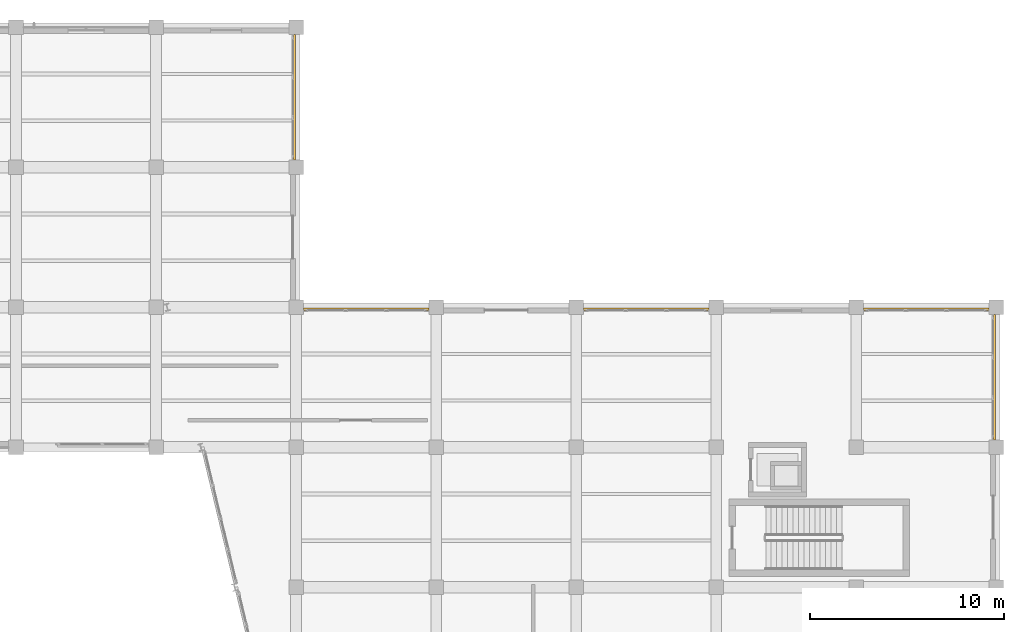
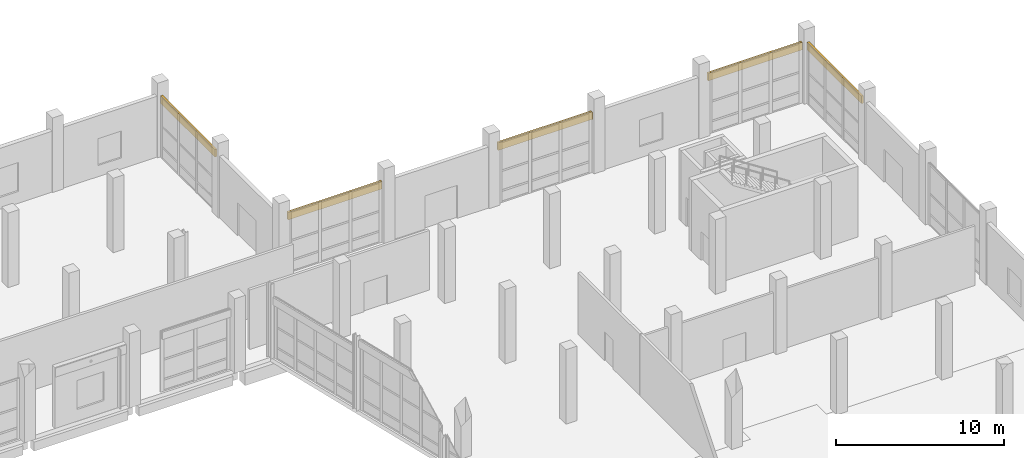
# One storey, part 136 of 137: 5 shading devices.
"""IFC4 building model written with IfcOpenShell, lengths in metres."""

from ifc_helpers import new_model, si_unit, direction, frame, origin, origin_2d, place, context, subcontext, project, spatial, rectangle, extrude, material, layer, layer_set, type_object, element, save


model = new_model("IFC4")

# Units and contexts
model_context = context("Model", 3, precision=1e-05, world=origin(), true_north=direction((0.0, 1.0)))
body_context = subcontext(model_context, "Body", "Model", "MODEL_VIEW")
ifc_project = project(units=[si_unit("LENGTHUNIT", "METRE"), si_unit("AREAUNIT", "SQUARE_METRE"), si_unit("VOLUMEUNIT", "CUBIC_METRE"), si_unit("PLANEANGLEUNIT", "RADIAN"), si_unit("MASSUNIT", "GRAM", prefix="KILO")], contexts=[model_context])

# Site, building, storey
site_placement = place(None, origin())
site = spatial("IfcSite", under=ifc_project, at=site_placement, CompositionType="ELEMENT")
building_placement = place(site_placement, origin())
building = spatial("IfcBuilding", under=site, at=building_placement, Name="Kalmorath City Hall", CompositionType="ELEMENT")
storey_placement = place(building_placement, origin())
storey = spatial("IfcBuildingStorey", under=building, at=storey_placement, Name="L00", CompositionType="ELEMENT", Elevation=0.0)

# Shading devices
ifc_material = material(Name="Bronze anodised storm louvre")
ifc_layer = layer(ifc_material, 0.139892578125)
ifc_layer_set = layer_set([ifc_layer], Name="Bronze anodised storm louvre")
shading_device_type = type_object("IfcShadingDeviceType", Name="Hurricane bronze storm louvre bank", PredefinedType="JALOUSIE", material=ifc_layer_set)
for number, where, z_axis, x_axis, name in (
    (1, (129.5, 111.60009765625, 3.8857421875), (0.0, 0.0, 1.0), (0.0, -1.0, 0.0), "L00 library storm louvre #42"),
    (2, (133.199951171875, 100.699951171875, 3.8359375), (0.0, 0.0, 1.0), (1.0, 0.0, 0.0), "L00 library storm louvre #43"),
    (3, (147.60009765625, 100.699951171875, 3.8359375), (0.0, 0.0, 1.0), (1.0, 0.0, 0.0), "L00 library storm louvre #44"),
    (4, (162.0, 100.699951171875, 3.8359375), (0.0, 0.0, 1.0), (1.0, 0.0, 0.0), "L00 library storm louvre #45"),
    (5, (165.5, 97.199951171875, 3.8857421875), (0.0, 0.0, 1.0), (0.0, -1.0, 0.0), "L00 library storm louvre #46"),
):
    element("IfcShadingDevice", number, at=place(storey_placement, frame(where, z_axis=z_axis, x_axis=x_axis)), inside=storey, type_object=shading_device_type, Name=name, PredefinedType="JALOUSIE", context=body_context, shape_type="SweptSolid", body=[
        extrude(rectangle(XDim=6.447998046875, YDim=0.139892578125, at=origin_2d()), origin(), (0.0, 0.0, 1.0), 0.550048828125),
    ])

save(model, "model.ifc")
